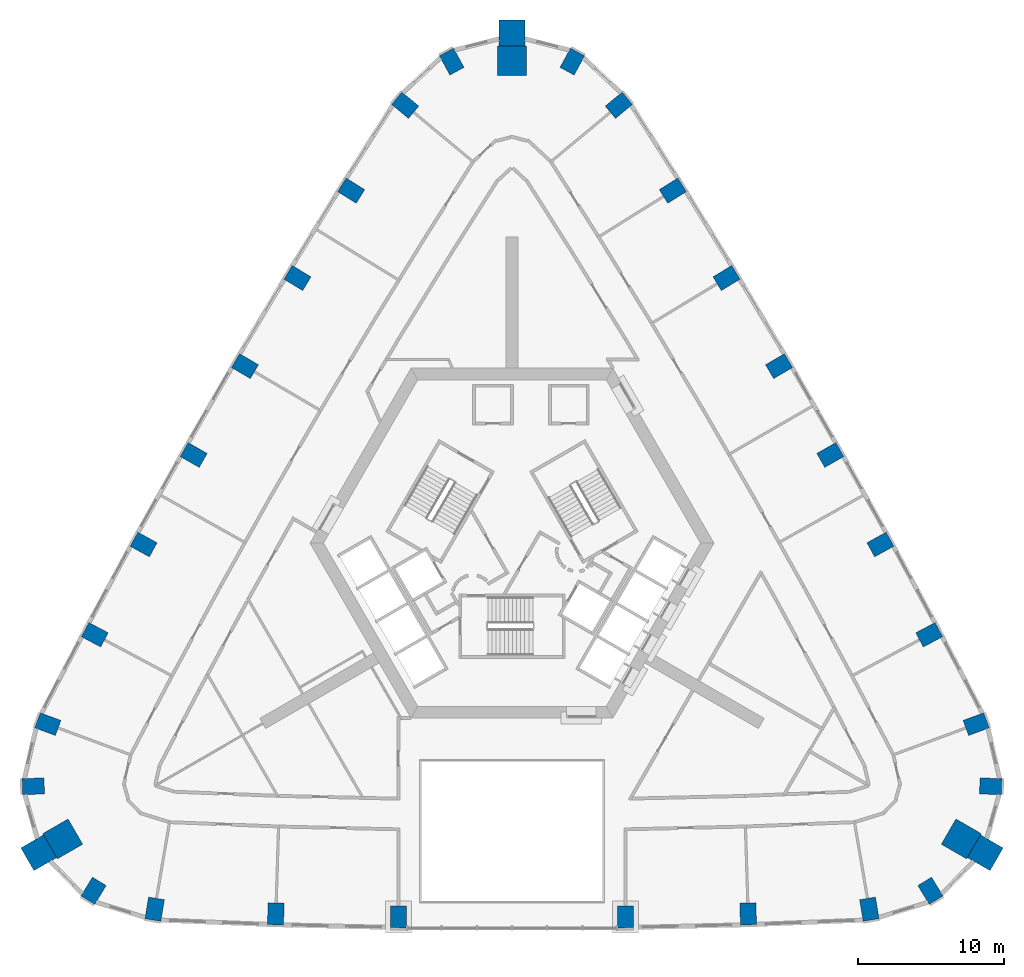
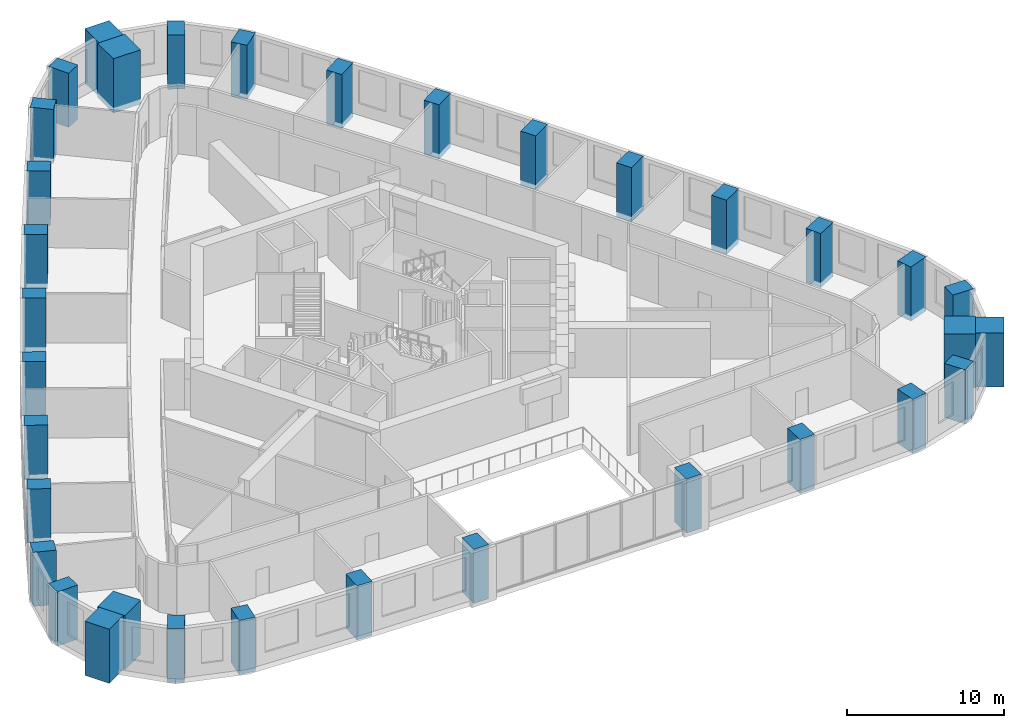
# One storey, part 1 of 12: 34 columns.
"""IFC4 building model written with IfcOpenShell, lengths in metres."""

import ifcopenshell
import ifcopenshell.guid

model = None  # the IFC model being written
_history = None  # IfcOwnerHistory: only IFC2X3 demands one
_inside = {}  # id of a spatial element -> (the spatial element, [elements in it])
_under = {}  # id of a project, library or spatial element -> (it, [spatial elements below it])
_declared = {}  # id of a project -> (the project, [libraries it declares])
_typed = {}  # id of a type object -> (the type object, [elements of that type])
_made_of = {}  # id of a material, layer set ... -> (it, [elements and type objects made of it])


def new_model(schema):
    """Start an empty IFC model of exactly this schema.

    Asked for "IFC4X3", IfcOpenShell would pick the latest addendum, in which some entities
    have other attributes; the version numbers below select the first issue.
    IFC2X3 requires an IfcOwnerHistory on every rooted entity: one is made here for all.
    """
    global model, _history
    if schema == "IFC4X3":
        model = ifcopenshell.file(schema_version=(4, 3, 0, 0))
    else:
        model = ifcopenshell.file(schema=schema)
    _inside.clear()
    _under.clear()
    _declared.clear()
    _typed.clear()
    _made_of.clear()
    _history = None
    if model.schema == "IFC2X3":
        org = make("IfcOrganization", Name="unknown")
        user = make(
            "IfcPersonAndOrganization",
            ThePerson=make("IfcPerson", FamilyName="unknown"),
            TheOrganization=org,
        )
        app = make(
            "IfcApplication",
            ApplicationDeveloper=org,
            Version="unknown",
            ApplicationFullName="unknown",
            ApplicationIdentifier="unknown",
        )
        _history = make(
            "IfcOwnerHistory",
            OwningUser=user,
            OwningApplication=app,
            ChangeAction="ADDED",
            CreationDate=0,
        )
    return model


def make(cls, **values):
    """One entity of the class cls with the attributes given. An attribute that is None is left unset."""
    return model.create_entity(
        cls, **{name: value for name, value in values.items() if value is not None}
    )


def rooted(cls, **values):
    """An entity with a GlobalId (a new one), such as an element, a storey or a relation."""
    return make(cls, GlobalId=ifcopenshell.guid.new(), OwnerHistory=_history, **values)


def si_unit(unit_type, name, prefix=None):
    """IfcSIUnit, for example si_unit("LENGTHUNIT", "METRE", prefix="MILLI")."""
    return make("IfcSIUnit", UnitType=unit_type, Prefix=prefix, Name=name)


def assignment(units):
    """IfcUnitAssignment: the units of a project."""
    return None if units is None else make("IfcUnitAssignment", Units=units)


def point(xyz):
    """IfcCartesianPoint."""
    return None if xyz is None else make("IfcCartesianPoint", Coordinates=xyz)


def direction(xyz):
    """IfcDirection."""
    return None if xyz is None else make("IfcDirection", DirectionRatios=xyz)


def frame(location, z_axis=None, x_axis=None):
    """IfcAxis2Placement3D, a coordinate frame: its origin and axes. An axis left out is left unset."""
    return make(
        "IfcAxis2Placement3D",
        Location=point(location),
        Axis=direction(z_axis),
        RefDirection=direction(x_axis),
    )


def frame_2d(location, x_axis=None):
    """IfcAxis2Placement2D, a coordinate frame in the plane: its origin and x axis."""
    return make(
        "IfcAxis2Placement2D", Location=point(location), RefDirection=direction(x_axis)
    )


def origin():
    """The frame at (0, 0, 0) with its axes left unset."""
    return frame((0.0, 0.0, 0.0))


def origin_2d():
    """The frame at (0, 0) in the plane with its x axis left unset."""
    return frame_2d((0.0, 0.0))


def place(relative_to, where):
    """IfcLocalPlacement: puts the frame where relative to a parent placement (None: the world)."""
    return make(
        "IfcLocalPlacement", PlacementRelTo=relative_to, RelativePlacement=where
    )


def context(
    kind, dimensions, precision=None, world=None, true_north=None, identifier=None
):
    """IfcGeometricRepresentationContext, for example the 3D "Model" context."""
    return make(
        "IfcGeometricRepresentationContext",
        ContextIdentifier=identifier,
        ContextType=kind,
        CoordinateSpaceDimension=dimensions,
        Precision=precision,
        WorldCoordinateSystem=world,
        TrueNorth=true_north,
    )


def subcontext(parent, identifier, kind, view, scale=None):
    """IfcGeometricRepresentationSubContext, for example "Body" below "Model"."""
    return make(
        "IfcGeometricRepresentationSubContext",
        ContextIdentifier=identifier,
        ContextType=kind,
        ParentContext=parent,
        TargetScale=scale,
        TargetView=view,
    )


def project(units=None, contexts=None):
    """IfcProject with its units and contexts."""
    return rooted(
        "IfcProject",
        Name="project",
        RepresentationContexts=contexts,
        UnitsInContext=assignment(units),
    )


def spatial(cls, under=None, at=None, **own):
    """A site, building, storey or space (cls), placed at a placement, below another one or the project."""
    s = rooted(cls, ObjectPlacement=at, **own)
    if under is not None:
        _under.setdefault(under.id(), (under, []))[1].append(s)
    return s


def profile(cls, at=None, kind="AREA", **sizes):
    """A parametric profile (cls). Its sizes go by their IFC names, for example OverallWidth=200.0."""
    return make(cls, ProfileType=kind, Position=at, **sizes)


def rectangle(**sizes):
    """IfcRectangleProfileDef."""
    return profile("IfcRectangleProfileDef", **sizes)


def extrude(swept, where, along, depth):
    """IfcExtrudedAreaSolid: the profile swept, set in the frame where, extruded along a direction by depth."""
    return make(
        "IfcExtrudedAreaSolid",
        SweptArea=swept,
        Position=where,
        ExtrudedDirection=direction(along),
        Depth=depth,
    )


def shape(context_of_items, identifier, shape_type, items):
    """IfcShapeRepresentation: the items that make up one representation, for example the "Body"."""
    return make(
        "IfcShapeRepresentation",
        ContextOfItems=context_of_items,
        RepresentationIdentifier=identifier,
        RepresentationType=shape_type,
        Items=items,
    )


def material(Name=None, Category=None):
    """IfcMaterial."""
    return make("IfcMaterial", Name=Name, Category=Category)


def material_profile(
    of_material, cross_section, Name=None, Category=None, Priority=None
):
    """IfcMaterialProfile: a cross section and its material."""
    return make(
        "IfcMaterialProfile",
        Name=Name,
        Material=of_material,
        Profile=cross_section,
        Priority=Priority,
        Category=Category,
    )


def profile_set(profiles, Name=None, composite=None):
    """IfcMaterialProfileSet."""
    return make(
        "IfcMaterialProfileSet",
        Name=Name,
        MaterialProfiles=profiles,
        CompositeProfile=composite,
    )


def made_of(thing, what):
    """Note that an element or type object is made of a material, layer set ...; save() writes the relation."""
    if what is not None:
        _made_of.setdefault(what.id(), (what, []))[1].append(thing)
    return thing


def type_object(cls, material=None, **own):
    """A type object (cls), such as IfcWallType, which elements share."""
    return made_of(rooted(cls, **own), material)


def element(
    cls,
    number,
    at=None,
    inside=None,
    cuts=None,
    type_object=None,
    material=None,
    context=None,
    identifier="Body",
    shape_type=None,
    held_by="IfcProductDefinitionShape",
    body=None,
    shapes=None,
    **own,
):
    """One element of the class cls, such as IfcWall. Its Tag is "e" and its number.

    at: its placement. inside: the storey or other place that contains it. cuts: it is an
    opening in that element (IfcRelVoidsElement). A single representation is given by context,
    identifier, shape_type and body (its items); several are given by shapes. held_by: the class
    of the entity that holds the representations. save() writes the other relations.
    """
    e = rooted(cls, Tag="e%d" % number, ObjectPlacement=at, **own)
    if body is not None:
        shapes = [shape(context, identifier, shape_type, body)]
    if shapes is not None:
        e.Representation = make(held_by, Representations=shapes)
    if inside is not None:
        _inside.setdefault(inside.id(), (inside, []))[1].append(e)
    if cuts is not None:
        rooted(
            "IfcRelVoidsElement", RelatingBuildingElement=cuts, RelatedOpeningElement=e
        )
    if type_object is not None:
        _typed.setdefault(type_object.id(), (type_object, []))[1].append(e)
    return made_of(e, material)


def aggregate(whole, parts):
    """IfcRelAggregates: a whole, such as a stair, and the parts it consists of."""
    return rooted("IfcRelAggregates", RelatingObject=whole, RelatedObjects=parts)


def save(model, path):
    """Write the relations noted so far, then the file.

    IfcRelAggregates (storeys below a building ...), IfcRelContainedInSpatialStructure (elements
    in a storey), IfcRelDefinesByType, IfcRelAssociatesMaterial and IfcRelDeclares: one each for
    every whole, place, type object, material and project.
    """
    for whole, parts in _under.values():
        aggregate(whole, parts)
    for where, things in _inside.values():
        rooted(
            "IfcRelContainedInSpatialStructure",
            RelatedElements=things,
            RelatingStructure=where,
        )
    for kind, things in _typed.values():
        rooted("IfcRelDefinesByType", RelatedObjects=things, RelatingType=kind)
    for what, things in _made_of.values():
        rooted("IfcRelAssociatesMaterial", RelatedObjects=things, RelatingMaterial=what)
    for by, libraries in _declared.values():
        rooted("IfcRelDeclares", RelatingContext=by, RelatedDefinitions=libraries)
    model.write(path)


model = new_model("IFC4")

# Units and contexts
model_context = context("Model", 3, precision=1e-05, world=origin(), true_north=direction((0.0, 1.0)))
body_context = subcontext(model_context, "Body", "Model", "MODEL_VIEW")
ifc_project = project(units=[si_unit("LENGTHUNIT", "METRE"), si_unit("AREAUNIT", "SQUARE_METRE"), si_unit("VOLUMEUNIT", "CUBIC_METRE"), si_unit("PLANEANGLEUNIT", "RADIAN"), si_unit("MASSUNIT", "GRAM", prefix="KILO")], contexts=[model_context])

# Site, building, storey
site_placement = place(None, origin())
site = spatial("IfcSite", under=ifc_project, at=site_placement, CompositionType="ELEMENT")
building_placement = place(site_placement, origin())
building = spatial("IfcBuilding", under=site, at=building_placement, Name="Entoto Arch Interchange Tower", CompositionType="ELEMENT")
storey_placement = place(building_placement, frame((0.0, 0.0, 142.39990234375)))
storey = spatial("IfcBuildingStorey", under=building, at=storey_placement, Name="L31", CompositionType="ELEMENT", Elevation=142.39990234375)

# Columns
ifc_material_1 = material(Name="Concrete C50/60", Category="concrete")
ifc_material_profile_1 = material_profile(ifc_material_1, rectangle(XDim=1.10009765625, YDim=1.5, at=origin_2d()))
ifc_profile_set_1 = profile_set([ifc_material_profile_1], Name="Concrete C50/60")
column_type_1 = type_object("IfcColumnType", Name="Column RC 1100x1500 C50/60", PredefinedType="COLUMN", material=ifc_profile_set_1)
for number, where, z_axis, x_axis, name in (
    (1, (-24.51806640625, -22.617919921875, -0.39990234375), (0.0, 0.0, 1.0), (-0.985753417505, 0.168196908046, 0.0), "Column S01 L31"),
    (2, (-16.205078125, -22.94189453125, -0.39990234375), (0.0, 0.0, 1.0), (-0.999496089207, 0.031742206272, 0.0), "Column S02 L31"),
    (3, (-7.7890625, -23.14111328125, -0.39990234375), (0.0, 0.0, 1.0), (-0.999931015761, 0.011745795767, 0.0), "Column S03 L31"),
    (4, (7.7890625, -23.14111328125, -0.39990234375), (0.0, 0.0, 1.0), (0.999931015761, 0.011745795767, 0.0), "Column S04 L31"),
    (5, (16.205078125, -22.94189453125, -0.39990234375), (0.0, 0.0, 1.0), (0.999496089207, 0.031742206272, 0.0), "Column S05 L31"),
    (6, (24.51806640625, -22.617919921875, -0.39990234375), (0.0, 0.0, 1.0), (0.985753417505, 0.168196908046, 0.0), "Column S06 L31"),
    (7, (28.70703125, -21.35205078125, -0.39990234375), (0.0, 0.0, 1.0), (0.853714435155, 0.520741455243, 0.0), "Column SE1 L31"),
    (8, (32.844970703125, -14.18505859375, -0.39990234375), (0.0, 0.0, 1.0), (0.024118111467, 0.999709116043, 0.0), "Column SE3 L31"),
    (9, (31.845947265625, -9.923095703125, -0.39990234375), (0.0, 0.0, 1.0), (-0.346591874029, 0.93801603017, 0.0), "Column NE01 L31"),
    (10, (28.6259765625, -3.7880859375, -0.39990234375), (0.0, 0.0, 1.0), (-0.469856776649, 0.882742663202, 0.0), "Column NE02 L31"),
    (11, (25.27490234375, 2.403076171875, -0.39990234375), (0.0, 0.0, 1.0), (-0.481983074142, 0.876180527198, 0.0), "Column NE03 L31"),
    (12, (21.840087890625, 8.5458984375, -0.39990234375), (0.0, 0.0, 1.0), (-0.49401774245, 0.869451821635, 0.0), "Column NE04 L31"),
    (13, (18.322021484375, 14.64208984375, -0.39990234375), (0.0, 0.0, 1.0), (-0.505958493678, 0.8625578257, 0.0), "Column NE05 L31"),
    (14, (14.718994140625, 20.68798828125, -0.39990234375), (0.0, 0.0, 1.0), (-0.517803057784, 0.85549985, 0.0), "Column NE06 L31"),
    (15, (11.032958984375, 26.68408203125, -0.39990234375), (0.0, 0.0, 1.0), (-0.529549183013, 0.848279236319, 0.0), "Column NE07 L31"),
    (16, (7.3291015625, 32.541015625, -0.39990234375), (0.0, 0.0, 1.0), (-0.63904977427, 0.76916538274, 0.0), "Column NE08 L31"),
    (17, (4.137939453125, 35.537109375, -0.39990234375), (0.0, 0.0, 1.0), (-0.877832546621, 0.4789676608, 0.0), "Column N1 L31"),
    (18, (-4.137939453125, 35.537109375, -0.39990234375), (0.0, 0.0, 1.0), (0.877832546621, 0.4789676608, 0.0), "Column N3 L31"),
    (19, (-7.3291015625, 32.541015625, -0.39990234375), (0.0, 0.0, 1.0), (0.63904977427, 0.76916538274, 0.0), "Column NW01 L31"),
    (20, (-11.032958984375, 26.68408203125, -0.39990234375), (0.0, 0.0, 1.0), (0.529549183013, 0.848279236319, 0.0), "Column NW02 L31"),
    (21, (-14.718994140625, 20.68798828125, -0.39990234375), (0.0, 0.0, 1.0), (0.517803057784, 0.85549985, 0.0), "Column NW03 L31"),
    (22, (-18.322021484375, 14.64208984375, -0.39990234375), (0.0, 0.0, 1.0), (0.505958493678, 0.8625578257, 0.0), "Column NW04 L31"),
    (23, (-21.840087890625, 8.5458984375, -0.39990234375), (0.0, 0.0, 1.0), (0.49401774245, 0.869451821635, 0.0), "Column NW05 L31"),
    (24, (-25.27490234375, 2.403076171875, -0.39990234375), (0.0, 0.0, 1.0), (0.481983074142, 0.876180527198, 0.0), "Column NW06 L31"),
    (25, (-28.6259765625, -3.7880859375, -0.39990234375), (0.0, 0.0, 1.0), (0.469856776649, 0.882742663202, 0.0), "Column NW07 L31"),
    (26, (-31.845947265625, -9.923095703125, -0.39990234375), (0.0, 0.0, 1.0), (0.346591874029, 0.93801603017, 0.0), "Column NW08 L31"),
    (27, (-32.844970703125, -14.18505859375, -0.39990234375), (0.0, 0.0, 1.0), (-0.024118111467, 0.999709116043, 0.0), "Column SW1 L31"),
    (28, (-28.70703125, -21.35205078125, -0.39990234375), (0.0, 0.0, 1.0), (-0.853714435155, 0.520741455243, 0.0), "Column SW3 L31"),
):
    element("IfcColumn", number, at=place(storey_placement, frame(where, z_axis=z_axis, x_axis=x_axis)), inside=storey, type_object=column_type_1, Name=name, PredefinedType="COLUMN", context=body_context, shape_type="SweptSolid", body=[
        extrude(rectangle(XDim=1.10009765625, YDim=1.5, at=origin_2d()), origin(), (0.0, 0.0, 1.0), 4.199951171875),
    ])
ifc_material_2 = material(Name="Precast concrete C40/50", Category="concrete")
ifc_material_profile_2 = material_profile(ifc_material_2, rectangle(XDim=1.800048828125, YDim=1.800048828125, at=origin_2d()))
ifc_profile_set_2 = profile_set([ifc_material_profile_2], Name="Precast concrete C40/50")
column_type_2 = type_object("IfcColumnType", Name="Frame post RC 1800x1800 precast C40/50", PredefinedType="COLUMN", material=ifc_profile_set_2)
for number, where, z_axis, x_axis, name in (
    (29, (32.469970703125, -18.74609375, -0.39990234375), (0.0, 0.0, 1.0), (-0.866025403784, 0.5, 0.0), "Frame post SE L31"),
    (30, (0.0, 37.492919921875, -0.39990234375), (0.0, 0.0, 1.0), (0.0, 1.0, 0.0), "Frame post N L31"),
    (31, (-32.469970703125, -18.74609375, -0.39990234375), (0.0, 0.0, 1.0), (0.866025403784, 0.5, 0.0), "Frame post SW L31"),
):
    element("IfcColumn", number, at=place(storey_placement, frame(where, z_axis=z_axis, x_axis=x_axis)), inside=storey, type_object=column_type_2, Name=name, PredefinedType="COLUMN", context=body_context, shape_type="SweptSolid", body=[
        extrude(rectangle(XDim=1.800048828125, YDim=1.800048828125, at=origin_2d()), origin(), (0.0, 0.0, 1.0), 4.199951171875),
    ])
ifc_material_profile_3 = material_profile(ifc_material_1, rectangle(XDim=2.0, YDim=2.0, at=origin_2d()))
ifc_profile_set_3 = profile_set([ifc_material_profile_3], Name="Concrete C50/60")
column_type_3 = type_object("IfcColumnType", Name="Mega column RC 2000x2000 C50/60", PredefinedType="COLUMN", material=ifc_profile_set_3)
for number, where, z_axis, x_axis, name in (
    (32, (30.824951171875, -17.7958984375, -0.39990234375), (0.0, 0.0, 1.0), (-0.866025403784, 0.5, 0.0), "Corner mega column SE2 L31"),
    (33, (0.0, 35.593017578125, -0.39990234375), (0.0, 0.0, 1.0), (0.0, 1.0, 0.0), "Corner mega column N2 L31"),
    (34, (-30.824951171875, -17.7958984375, -0.39990234375), (0.0, 0.0, 1.0), (0.866025403784, 0.5, 0.0), "Corner mega column SW2 L31"),
):
    element("IfcColumn", number, at=place(storey_placement, frame(where, z_axis=z_axis, x_axis=x_axis)), inside=storey, type_object=column_type_3, Name=name, PredefinedType="COLUMN", context=body_context, shape_type="SweptSolid", body=[
        extrude(rectangle(XDim=2.0, YDim=2.0, at=origin_2d()), origin(), (0.0, 0.0, 1.0), 4.199951171875),
    ])

save(model, "model.ifc")
